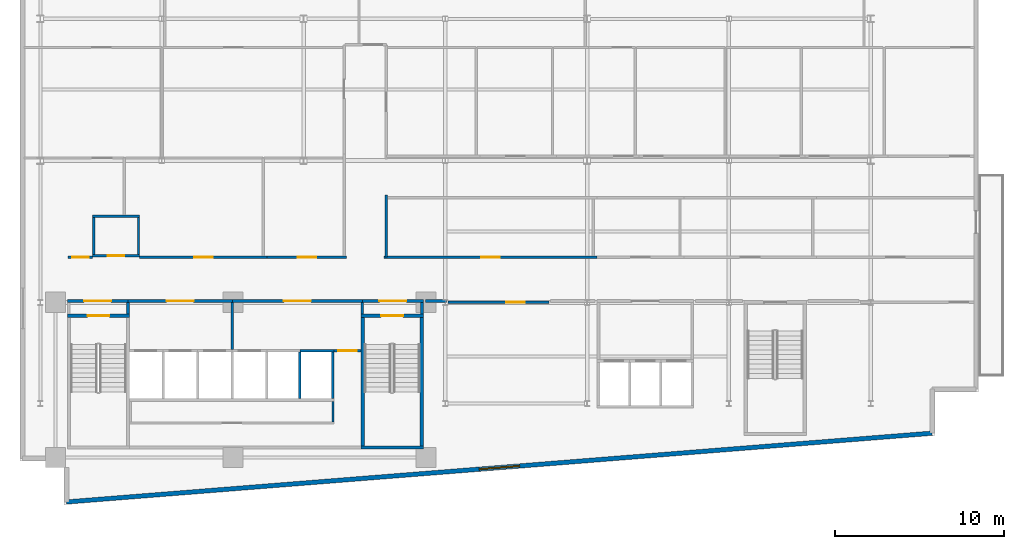
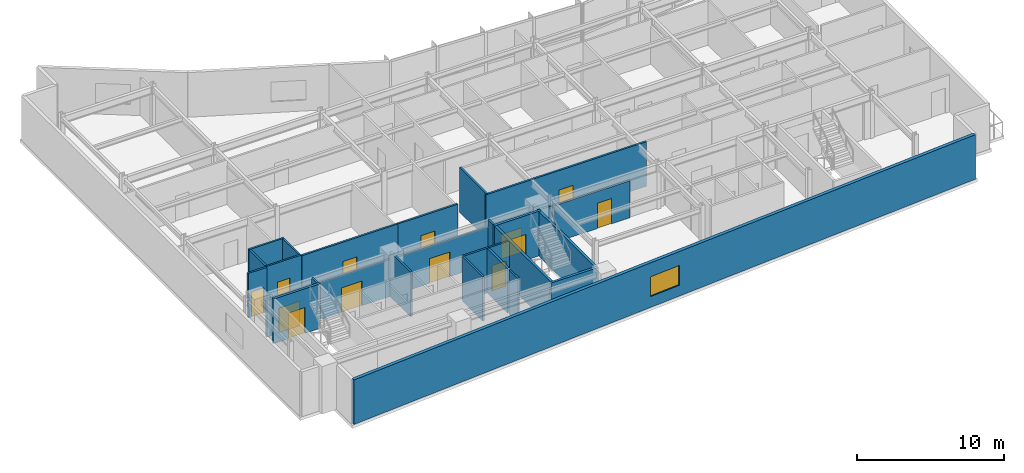
# One storey, part 9 of 17: 30 walls, 13 doors, 1 window, 14 openings.
"""IFC4 building model written with IfcOpenShell, lengths in metres."""

from ifc_helpers import new_model, si_unit, direction, frame, frame_2d, origin, place, context, subcontext, project, spatial, rectangle, extrude, material, layer, layer_set, type_object, element, fill, save


model = new_model("IFC4")

# Units and contexts
model_context = context("Model", 3, precision=1e-05, world=origin(), true_north=direction((0.0, 1.0)))
body_context = subcontext(model_context, "Body", "Model", "MODEL_VIEW")
ifc_project = project(units=[si_unit("LENGTHUNIT", "METRE"), si_unit("AREAUNIT", "SQUARE_METRE"), si_unit("VOLUMEUNIT", "CUBIC_METRE"), si_unit("PLANEANGLEUNIT", "RADIAN"), si_unit("MASSUNIT", "GRAM", prefix="KILO")], contexts=[model_context])

# Site, building, storey
site_placement = place(None, origin())
site = spatial("IfcSite", under=ifc_project, at=site_placement, CompositionType="ELEMENT")
building_placement = place(site_placement, origin())
building = spatial("IfcBuilding", under=site, at=building_placement, Name="Varnakote Quay Hospital", CompositionType="ELEMENT")
storey_placement = place(building_placement, frame((0.0, 0.0, 131.0)))
storey = spatial("IfcBuildingStorey", under=building, at=storey_placement, Name="L32", CompositionType="ELEMENT", Elevation=131.0)

# Wall, opening, door
ifc_material_1 = material(Name="Fire-rated acoustic gypsum stud wall", Category="gypsum")
ifc_layer_1 = layer(ifc_material_1, 0.159912109375)
ifc_layer_set_1 = layer_set([ifc_layer_1], Name="Fire-rated acoustic gypsum stud wall")
wall_type_1 = type_object("IfcWallType", Name="WL-COMP-160", PredefinedType="PARTITIONING", material=ifc_layer_set_1)
wall_1_placement = place(storey_placement, frame((2.800048828125, 12.080078125, 0.0), z_axis=(0.0, 0.0, 1.0), x_axis=(1.0, 0.0, 0.0)))
wall_1 = element("IfcWall", 1, at=wall_1_placement, inside=storey, type_object=wall_type_1, Name="L32 West Stair Vestibule Smoke Wall", PredefinedType="PARTITIONING", context=body_context, shape_type="SweptSolid", body=[
    extrude(rectangle(XDim=3.599853515625, YDim=0.159912109375, at=frame_2d((1.7998046875, 0.0))), origin(), (0.0, 0.0, 1.0), 3.0830078125),
])
opening_1_placement = place(wall_1_placement, frame((1.0, 0.0, 0.0)))
opening_1 = element("IfcOpeningElement", 2, at=opening_1_placement, cuts=wall_1, Name="Opening D-ST1L-L32", PredefinedType="OPENING", context=body_context, shape_type="SweptSolid", body=[
    extrude(rectangle(XDim=1.60009765625, YDim=2.050048828125, at=frame_2d((0.800048828125, 1.02490234375))), frame((0.0, 0.08984375, 0.0), z_axis=(0.0, -1.0, 0.0), x_axis=(1.0, 0.0, 0.0)), (0.0, 0.0, 1.0), 0.179931640625),
])
ifc_material_2 = material(Name="Fire-rated double smoke lobby door")
door_type_1 = type_object("IfcDoorType", Name="DR-LOBBY-FD60S-1600x2150", OperationType="NOTDEFINED", PredefinedType="DOOR", material=ifc_material_2)
door_1_placement = place(opening_1_placement, origin())
door_1 = element("IfcDoor", 3, at=door_1_placement, inside=storey, type_object=door_type_1, Name="L32 West Stair Vestibule Smoke Door", OperationType="DOUBLE_DOOR_SINGLE_SWING", OverallHeight=2.050048828125, OverallWidth=1.60009765625, PredefinedType="DOOR", context=body_context, shape_type="SweptSolid", body=[
    extrude(rectangle(XDim=1.60009765625, YDim=2.050048828125, at=frame_2d((0.800048828125, 1.02490234375))), frame((0.0, 0.02490234375, 0.0), z_axis=(0.0, -1.0, 0.0), x_axis=(1.0, 0.0, 0.0)), (0.0, 0.0, 1.0), 0.050048828125),
])
fill(opening_1, door_1)

# Wall
wall_2_placement = place(storey_placement, frame((6.39990234375, 11.300048828125, 0.0), z_axis=(0.0, 0.0, 1.0), x_axis=(0.0, 1.0, 0.0)))
element("IfcWall", 4, at=wall_2_placement, inside=storey, type_object=wall_type_1, Name="L32 Firefighting Lobby West Wall", PredefinedType="PARTITIONING", context=body_context, shape_type="SweptSolid", body=[
    extrude(rectangle(XDim=0.699951171875, YDim=0.159912109375, at=frame_2d((0.35009765625, 0.0))), origin(), (0.0, 0.0, 1.0), 3.7099609375),
])

# Wall, opening, door
wall_3_placement = place(storey_placement, frame((6.39990234375, 12.080078125, 0.0), z_axis=(0.0, 0.0, 1.0), x_axis=(1.0, 0.0, 0.0)))
wall_3 = element("IfcWall", 5, at=wall_3_placement, inside=storey, type_object=wall_type_1, Name="L32 Firefighting Lift Lobby Compartment Wall", PredefinedType="PARTITIONING", context=body_context, shape_type="SweptSolid", body=[
    extrude(rectangle(XDim=6.18017578125, YDim=0.159912109375, at=frame_2d((3.090087890625, 0.0))), origin(), (0.0, 0.0, 1.0), 3.0830078125),
])
opening_2_placement = place(wall_3_placement, frame((2.2900390625, 0.0, 0.0)))
opening_2 = element("IfcOpeningElement", 6, at=opening_2_placement, cuts=wall_3, Name="Opening D-FFL-L32", PredefinedType="OPENING", context=body_context, shape_type="SweptSolid", body=[
    extrude(rectangle(XDim=1.60009765625, YDim=2.050048828125, at=frame_2d((0.800048828125, 1.02490234375))), frame((0.0, 0.08984375, 0.0), z_axis=(0.0, -1.0, 0.0), x_axis=(1.0, 0.0, 0.0)), (0.0, 0.0, 1.0), 0.179931640625),
])
door_2_placement = place(opening_2_placement, origin())
door_2 = element("IfcDoor", 7, at=door_2_placement, inside=storey, type_object=door_type_1, Name="L32 Firefighting Smoke Vestibule Door", OperationType="DOUBLE_DOOR_SINGLE_SWING", OverallHeight=2.050048828125, OverallWidth=1.60009765625, PredefinedType="DOOR", context=body_context, shape_type="SweptSolid", body=[
    extrude(rectangle(XDim=1.60009765625, YDim=2.050048828125, at=frame_2d((0.800048828125, 1.02490234375))), frame((0.0, 0.02490234375, 0.0), z_axis=(0.0, -1.0, 0.0), x_axis=(1.0, 0.0, 0.0)), (0.0, 0.0, 1.0), 0.050048828125),
])
fill(opening_2, door_2)

# Wall
wall_4_placement = place(storey_placement, frame((12.580078125, 9.2099609375, 0.0), z_axis=(0.0, 0.0, 1.0), x_axis=(0.0, 1.0, 0.0)))
element("IfcWall", 8, at=wall_4_placement, inside=storey, type_object=wall_type_1, Name="L32 Firefighting to Service Lobby Wall", PredefinedType="PARTITIONING", context=body_context, shape_type="SweptSolid", body=[
    extrude(rectangle(XDim=2.7900390625, YDim=0.159912109375, at=frame_2d((1.39501953125, 0.0))), origin(), (0.0, 0.0, 1.0), 3.7099609375),
])

# Wall, opening, door
wall_5_placement = place(storey_placement, frame((12.580078125, 12.080078125, 0.0), z_axis=(0.0, 0.0, 1.0), x_axis=(1.0, 0.0, 0.0)))
wall_5 = element("IfcWall", 9, at=wall_5_placement, inside=storey, type_object=wall_type_1, Name="L32 Clinical Bed Lift Lobby Wall", PredefinedType="PARTITIONING", context=body_context, shape_type="SweptSolid", body=[
    extrude(rectangle(XDim=7.699951171875, YDim=0.159912109375, at=frame_2d((3.85009765625, 0.0))), origin(), (0.0, 0.0, 1.0), 3.0830078125),
])
opening_3_placement = place(wall_5_placement, frame((3.050048828125, 0.0, 0.0)))
opening_3 = element("IfcOpeningElement", 10, at=opening_3_placement, cuts=wall_5, Name="Opening D-SVL-L32", PredefinedType="OPENING", context=body_context, shape_type="SweptSolid", body=[
    extrude(rectangle(XDim=1.60009765625, YDim=2.050048828125, at=frame_2d((0.800048828125, 1.02490234375))), frame((0.0, 0.08984375, 0.0), z_axis=(0.0, -1.0, 0.0), x_axis=(1.0, 0.0, 0.0)), (0.0, 0.0, 1.0), 0.179931640625),
])
door_3_placement = place(opening_3_placement, origin())
door_3 = element("IfcDoor", 11, at=door_3_placement, inside=storey, type_object=door_type_1, Name="L32 Clinical Core Smoke Vestibule Door", OperationType="DOUBLE_DOOR_SINGLE_SWING", OverallHeight=2.050048828125, OverallWidth=1.60009765625, PredefinedType="DOOR", context=body_context, shape_type="SweptSolid", body=[
    extrude(rectangle(XDim=1.60009765625, YDim=2.050048828125, at=frame_2d((0.800048828125, 1.02490234375))), frame((0.0, 0.02490234375, 0.0), z_axis=(0.0, -1.0, 0.0), x_axis=(1.0, 0.0, 0.0)), (0.0, 0.0, 1.0), 0.050048828125),
])
fill(opening_3, door_3)

# Wall
wall_6_placement = place(storey_placement, frame((20.280029296875, 11.300048828125, 0.0), z_axis=(0.0, 0.0, 1.0), x_axis=(0.0, 1.0, 0.0)))
element("IfcWall", 12, at=wall_6_placement, inside=storey, type_object=wall_type_1, Name="L32 East Stair Vestibule Divider Wall", PredefinedType="PARTITIONING", context=body_context, shape_type="SweptSolid", body=[
    extrude(rectangle(XDim=0.699951171875, YDim=0.159912109375, at=frame_2d((0.35009765625, 0.0))), origin(), (0.0, 0.0, 1.0), 3.7099609375),
])

# Wall, opening, door
wall_7_placement = place(storey_placement, frame((20.280029296875, 12.080078125, 0.0), z_axis=(0.0, 0.0, 1.0), x_axis=(1.0, 0.0, 0.0)))
wall_7 = element("IfcWall", 13, at=wall_7_placement, inside=storey, type_object=wall_type_1, Name="L32 East Stair Vestibule Smoke Wall", PredefinedType="PARTITIONING", context=body_context, shape_type="SweptSolid", body=[
    extrude(rectangle(XDim=3.619873046875, YDim=0.159912109375, at=frame_2d((1.81005859375, 0.0))), origin(), (0.0, 0.0, 1.0), 3.0830078125),
])
opening_4_placement = place(wall_7_placement, frame((1.010009765625, 0.0, 0.0)))
opening_4 = element("IfcOpeningElement", 14, at=opening_4_placement, cuts=wall_7, Name="Opening D-ST2L-L32", PredefinedType="OPENING", context=body_context, shape_type="SweptSolid", body=[
    extrude(rectangle(XDim=1.60009765625, YDim=2.050048828125, at=frame_2d((0.800048828125, 1.02490234375))), frame((0.0, 0.08984375, 0.0), z_axis=(0.0, -1.0, 0.0), x_axis=(1.0, 0.0, 0.0)), (0.0, 0.0, 1.0), 0.179931640625),
])
door_4_placement = place(opening_4_placement, origin())
door_4 = element("IfcDoor", 15, at=door_4_placement, inside=storey, type_object=door_type_1, Name="L32 East Stair Vestibule Smoke Door", OperationType="DOUBLE_DOOR_SINGLE_SWING", OverallHeight=2.050048828125, OverallWidth=1.60009765625, PredefinedType="DOOR", context=body_context, shape_type="SweptSolid", body=[
    extrude(rectangle(XDim=1.60009765625, YDim=2.050048828125, at=frame_2d((0.800048828125, 1.02490234375))), frame((0.0, 0.02490234375, 0.0), z_axis=(0.0, -1.0, 0.0), x_axis=(1.0, 0.0, 0.0)), (0.0, 0.0, 1.0), 0.050048828125),
])
fill(opening_4, door_4)

# Walls
wall_8_placement = place(storey_placement, frame((23.820068359375, 11.300048828125, 0.0), z_axis=(0.0, 0.0, 1.0), x_axis=(0.0, 1.0, 0.0)))
element("IfcWall", 16, at=wall_8_placement, inside=storey, type_object=wall_type_1, Name="L32 East Stair Vestibule East Wall", PredefinedType="PARTITIONING", context=body_context, shape_type="SweptSolid", body=[
    extrude(rectangle(XDim=0.699951171875, YDim=0.159912109375, at=frame_2d((0.35009765625, 0.0))), origin(), (0.0, 0.0, 1.0), 3.7099609375),
])
wall_9_placement = place(storey_placement, frame((24.02001953125, 12.080078125, 0.0), z_axis=(0.0, 0.0, 1.0), x_axis=(1.0, 0.0, 0.0)))
element("IfcWall", 17, at=wall_9_placement, inside=storey, type_object=wall_type_1, Name="L32 Corridor South Gap Wall", PredefinedType="PARTITIONING", context=body_context, shape_type="SweptSolid", body=[
    extrude(rectangle(XDim=1.2451171875, YDim=0.159912109375, at=frame_2d((0.62255859375, 0.0))), origin(), (0.0, 0.0, 1.0), 3.0830078125),
])

# Wall, opening, window
ifc_material_3 = material(Name="Precast concrete N50 (f'c 50 MPa)", Category="concrete")
ifc_layer_2 = layer(ifc_material_3, 0.260009765625)
ifc_layer_set_2 = layer_set([ifc_layer_2], Name="Precast concrete N50 (f'c 50 MPa)")
wall_type_2 = type_object("IfcWallType", Name="WL-EXT-BRICK-260", PredefinedType="STANDARD", material=ifc_layer_set_2)
wall_10_placement = place(storey_placement, frame((2.760009765625, 0.173095703125, 0.0), z_axis=(0.0, 0.0, 1.0), x_axis=(0.996857931723, 0.079210251617, 0.0)))
wall_10 = element("IfcWall", 18, at=wall_10_placement, inside=storey, type_object=wall_type_2, Name="L32 Brick-Faced Precast Exterior Wall", PredefinedType="STANDARD", context=body_context, shape_type="SweptSolid", body=[
    extrude(rectangle(XDim=51.441650390625, YDim=0.260009765625, at=frame_2d((25.720703125, 0.0))), origin(), (0.0, 0.0, 1.0), 3.7099609375),
])
opening_5_placement = place(wall_10_placement, frame((24.520751953125, 0.0, 0.89990234375)))
opening_5 = element("IfcOpeningElement", 19, at=opening_5_placement, cuts=wall_10, Name="Opening WN-0138", PredefinedType="OPENING", context=body_context, shape_type="SweptSolid", body=[
    extrude(rectangle(XDim=2.39990234375, YDim=1.64990234375, at=frame_2d((1.199951171875, 0.824951171875))), frame((0.0, 0.139892578125, 0.0), z_axis=(0.0, -1.0, 0.0), x_axis=(1.0, 0.0, 0.0)), (0.0, 0.0, 1.0), 0.280029296875),
])
ifc_material_4 = material(Name="Double-glazed low-E solar glass", Category="glass")
window_type = type_object("IfcWindowType", Name="WIN-CLIN-2400x1650", PartitioningType="SINGLE_PANEL", PredefinedType="WINDOW", material=ifc_material_4)
window_placement = place(opening_5_placement, origin())
window = element("IfcWindow", 20, at=window_placement, inside=storey, type_object=window_type, Name="L32 Solar-Control Clinical Window", OverallHeight=1.64990234375, OverallWidth=2.39990234375, PartitioningType="SINGLE_PANEL", PredefinedType="WINDOW", context=body_context, shape_type="SweptSolid", body=[
    extrude(rectangle(XDim=2.39990234375, YDim=1.64990234375, at=frame_2d((1.199951171875, 0.824951171875))), frame((0.0, 0.030029296875, 0.0), z_axis=(0.0, -1.0, 0.0), x_axis=(1.0, 0.0, 0.0)), (0.0, 0.0, 1.0), 0.06005859375),
])
fill(opening_5, window)

# Walls
ifc_material_5 = material(Name="Concrete N50 (f'c 50 MPa)", Category="concrete")
ifc_layer_3 = layer(ifc_material_5, 0.14990234375)
ifc_layer_set_3 = layer_set([ifc_layer_3], Name="Concrete N50 (f'c 50 MPa)")
wall_type_3 = type_object("IfcWallType", Name="WL-SHAFT-N50-150", PredefinedType="SHEAR", material=ifc_layer_set_3)
wall_11_placement = place(storey_placement, frame((16.574951171875, 6.300048828125, 0.0), z_axis=(0.0, 0.0, 1.0), x_axis=(0.0, 1.0, 0.0)))
element("IfcWall", 21, at=wall_11_placement, inside=storey, type_object=wall_type_3, Name="L32 LF-PH1 Hoistway Divider Wall", PredefinedType="SHEAR", context=body_context, shape_type="SweptSolid", body=[
    extrude(rectangle(XDim=2.75, YDim=0.14990234375, at=frame_2d((1.375, 0.0))), origin(), (0.0, 0.0, 1.0), 3.7099609375),
])
ifc_material_6 = material(Name="Concrete N50 (f'c 50 MPa)", Category="concrete")
ifc_layer_4 = layer(ifc_material_6, 0.159912109375)
ifc_layer_set_4 = layer_set([ifc_layer_4], Name="Concrete N50 (f'c 50 MPa)")
wall_type_4 = type_object("IfcWallType", Name="WL-SHAFT-N50-160", PredefinedType="SHEAR", material=ifc_layer_set_4)
wall_12_placement = place(storey_placement, frame((18.530029296875, 6.300048828125, 0.0), z_axis=(0.0, 0.0, 1.0), x_axis=(0.0, 1.0, 0.0)))
element("IfcWall", 22, at=wall_12_placement, inside=storey, type_object=wall_type_4, Name="L32 REAR Lift Bank East Shear Wall", PredefinedType="SHEAR", context=body_context, shape_type="SweptSolid", body=[
    extrude(rectangle(XDim=2.75, YDim=0.159912109375, at=frame_2d((1.375, 0.0))), origin(), (0.0, 0.0, 1.0), 3.7099609375),
])
wall_13_placement = place(storey_placement, frame((16.574951171875, 9.1298828125, 0.0), z_axis=(0.0, 0.0, 1.0), x_axis=(1.0, 0.0, 0.0)))
element("IfcWall", 23, at=wall_13_placement, inside=storey, type_object=wall_type_4, Name="L32 LF-PH2 Hoistway Front Wall", PredefinedType="SHEAR", context=body_context, shape_type="SweptSolid", body=[
    extrude(rectangle(XDim=2.03515625, YDim=0.159912109375, at=frame_2d((1.017578125, 0.0))), origin(), (0.0, 0.0, 1.0), 3.7099609375),
])

# Wall, opening, door
ifc_material_7 = material(Name="Concrete N50 (f'c 50 MPa)", Category="concrete")
ifc_layer_5 = layer(ifc_material_7, 0.199951171875)
ifc_layer_set_5 = layer_set([ifc_layer_5], Name="Concrete N50 (f'c 50 MPa)")
wall_type_5 = type_object("IfcWallType", Name="WL-SHAFT-N50-200", PredefinedType="SHEAR", material=ifc_layer_set_5)
wall_14_placement = place(storey_placement, frame((2.800048828125, 11.199951171875, 0.0), z_axis=(0.0, 0.0, 1.0), x_axis=(1.0, 0.0, 0.0)))
wall_14 = element("IfcWall", 24, at=wall_14_placement, inside=storey, type_object=wall_type_5, Name="L32 Stair ST1 Exit Wall", PredefinedType="SHEAR", context=body_context, shape_type="SweptSolid", body=[
    extrude(rectangle(XDim=3.699951171875, YDim=0.199951171875, at=frame_2d((1.85009765625, 0.0))), origin(), (0.0, 0.0, 1.0), 3.7099609375),
])
opening_6_placement = place(wall_14_placement, frame((1.199951171875, 0.0, 0.0)))
opening_6 = element("IfcOpeningElement", 25, at=opening_6_placement, cuts=wall_14, Name="Opening D-ST1-L32", PredefinedType="OPENING", context=body_context, shape_type="SweptSolid", body=[
    extrude(rectangle(XDim=1.300048828125, YDim=2.14990234375, at=frame_2d((0.64990234375, 1.074951171875))), frame((0.0, 0.10986328125, 0.0), z_axis=(0.0, -1.0, 0.0), x_axis=(1.0, 0.0, 0.0)), (0.0, 0.0, 1.0), 0.219970703125),
])
ifc_material_8 = material(Name="Fire-rated ceramic-glazed timber exit door", Category="wood")
door_type_2 = type_object("IfcDoorType", Name="DR-STAIR-FD60S-1300x2150", OperationType="NOTDEFINED", PredefinedType="DOOR", material=ifc_material_8)
door_5_placement = place(opening_6_placement, origin())
door_5 = element("IfcDoor", 26, at=door_5_placement, inside=storey, type_object=door_type_2, Name="L32 Stair ST1 Fire Exit Door", OperationType="SINGLE_SWING_LEFT", OverallHeight=2.14990234375, OverallWidth=1.300048828125, PredefinedType="DOOR", context=body_context, shape_type="SweptSolid", body=[
    extrude(rectangle(XDim=1.300048828125, YDim=2.14990234375, at=frame_2d((0.64990234375, 1.074951171875))), frame((0.0, 0.02490234375, 0.0), z_axis=(0.0, -1.0, 0.0), x_axis=(1.0, 0.0, 0.0)), (0.0, 0.0, 1.0), 0.050048828125),
])
fill(opening_6, door_5)

# Walls
wall_15_placement = place(storey_placement, frame((20.199951171875, 3.39990234375, 0.0), z_axis=(0.0, 0.0, 1.0), x_axis=(1.0, 0.0, 0.0)))
element("IfcWall", 27, at=wall_15_placement, inside=storey, type_object=wall_type_5, Name="L32 Stair ST2 South Shaft Wall", PredefinedType="SHEAR", context=body_context, shape_type="SweptSolid", body=[
    extrude(rectangle(XDim=3.699951171875, YDim=0.199951171875, at=frame_2d((1.85009765625, 0.0))), origin(), (0.0, 0.0, 1.0), 3.7099609375),
])
for number, where, z_axis, x_axis, name in (
    (28, (20.300048828125, 3.5, 0.0), (0.0, 0.0, 1.0), (0.0, 1.0, 0.0), "L32 Stair ST2 West Shaft Wall"),
    (29, (23.800048828125, 3.5, 0.0), (0.0, 0.0, 1.0), (0.0, 1.0, 0.0), "L32 Stair ST2 East Shaft Wall"),
):
    element("IfcWall", number, at=place(storey_placement, frame(where, z_axis=z_axis, x_axis=x_axis)), inside=storey, type_object=wall_type_5, Name=name, PredefinedType="SHEAR", context=body_context, shape_type="SweptSolid", body=[
        extrude(rectangle(XDim=7.60009765625, YDim=0.199951171875, at=frame_2d((3.800048828125, 0.0))), origin(), (0.0, 0.0, 1.0), 3.7099609375),
    ])

# Wall, opening, door
wall_16_placement = place(storey_placement, frame((20.199951171875, 11.199951171875, 0.0), z_axis=(0.0, 0.0, 1.0), x_axis=(1.0, 0.0, 0.0)))
wall_16 = element("IfcWall", 30, at=wall_16_placement, inside=storey, type_object=wall_type_5, Name="L32 Stair ST2 Exit Wall", PredefinedType="SHEAR", context=body_context, shape_type="SweptSolid", body=[
    extrude(rectangle(XDim=3.699951171875, YDim=0.199951171875, at=frame_2d((1.85009765625, 0.0))), origin(), (0.0, 0.0, 1.0), 3.7099609375),
])
opening_7_placement = place(wall_16_placement, frame((1.199951171875, 0.0, 0.0)))
opening_7 = element("IfcOpeningElement", 31, at=opening_7_placement, cuts=wall_16, Name="Opening D-ST2-L32", PredefinedType="OPENING", context=body_context, shape_type="SweptSolid", body=[
    extrude(rectangle(XDim=1.300048828125, YDim=2.14990234375, at=frame_2d((0.64990234375, 1.074951171875))), frame((0.0, 0.10986328125, 0.0), z_axis=(0.0, -1.0, 0.0), x_axis=(1.0, 0.0, 0.0)), (0.0, 0.0, 1.0), 0.219970703125),
])
door_6_placement = place(opening_7_placement, origin())
door_6 = element("IfcDoor", 32, at=door_6_placement, inside=storey, type_object=door_type_2, Name="L32 Stair ST2 Fire Exit Door", OperationType="SINGLE_SWING_RIGHT", OverallHeight=2.14990234375, OverallWidth=1.300048828125, PredefinedType="DOOR", context=body_context, shape_type="SweptSolid", body=[
    extrude(rectangle(XDim=1.300048828125, YDim=2.14990234375, at=frame_2d((0.64990234375, 1.074951171875))), frame((0.0, 0.02490234375, 0.0), z_axis=(0.0, -1.0, 0.0), x_axis=(1.0, 0.0, 0.0)), (0.0, 0.0, 1.0), 0.050048828125),
])
fill(opening_7, door_6)

# Wall
ifc_material_9 = material(Name="Smoke-proof clinical partition", Category="gypsum")
ifc_layer_6 = layer(ifc_material_9, 0.1201171875)
ifc_layer_set_6 = layer_set([ifc_layer_6], Name="Smoke-proof clinical partition")
wall_type_6 = type_object("IfcWallType", Name="WL-SMOKE-120", PredefinedType="PARTITIONING", material=ifc_layer_set_6)
wall_17_placement = place(storey_placement, frame((18.5400390625, 4.919921875, 0.0), z_axis=(0.0, 0.0, 1.0), x_axis=(0.0, 1.0, 0.0)))
element("IfcWall", 33, at=wall_17_placement, inside=storey, type_object=wall_type_6, Name="L32 Core Service Strip East Wall", PredefinedType="PARTITIONING", context=body_context, shape_type="SweptSolid", body=[
    extrude(rectangle(XDim=1.219970703125, YDim=0.1201171875, at=frame_2d((0.60986328125, 0.0))), origin(), (0.0, 0.0, 1.0), 3.7099609375),
])

# Wall, opening, door
ifc_material_10 = material(Name="Fire-rated clinical gypsum partition", Category="gypsum")
ifc_layer_7 = layer(ifc_material_10, 0.139892578125)
ifc_layer_set_7 = layer_set([ifc_layer_7], Name="Fire-rated clinical gypsum partition")
wall_type_7 = type_object("IfcWallType", Name="WL-WARD-140", PredefinedType="PARTITIONING", material=ifc_layer_set_7)
wall_18_placement = place(storey_placement, frame((18.610107421875, 9.1298828125, 0.0), z_axis=(0.0, 0.0, 1.0), x_axis=(1.0, 0.0, 0.0)))
wall_18 = element("IfcWall", 34, at=wall_18_placement, inside=storey, type_object=wall_type_7, Name="L32 Core Service Corridor North Door Wall", PredefinedType="PARTITIONING", context=body_context, shape_type="SweptSolid", body=[
    extrude(rectangle(XDim=1.58984375, YDim=0.139892578125, at=frame_2d((0.794921875, 0.0))), origin(), (0.0, 0.0, 1.0), 3.7099609375),
])
opening_8_placement = place(wall_18_placement, frame((0.239990234375, 0.0, 0.0)))
opening_8 = element("IfcOpeningElement", 35, at=opening_8_placement, cuts=wall_18, Name="Opening D-CSRV-L32", PredefinedType="OPENING", context=body_context, shape_type="SweptSolid", body=[
    extrude(rectangle(XDim=1.10009765625, YDim=2.10009765625, at=frame_2d((0.550048828125, 1.050048828125))), frame((0.0, 0.079833984375, 0.0), z_axis=(0.0, -1.0, 0.0), x_axis=(1.0, 0.0, 0.0)), (0.0, 0.0, 1.0), 0.159912109375),
])
ifc_material_11 = material(Name="Acoustic timber clinical consult door", Category="wood")
door_type_3 = type_object("IfcDoorType", Name="DR-CLIN-FD30S-1100x2100", OperationType="NOTDEFINED", PredefinedType="DOOR", material=ifc_material_11)
door_7_placement = place(opening_8_placement, origin())
door_7 = element("IfcDoor", 36, at=door_7_placement, inside=storey, type_object=door_type_3, Name="L32 Core Service Corridor Door", OperationType="SINGLE_SWING_LEFT", OverallHeight=2.10009765625, OverallWidth=1.10009765625, PredefinedType="DOOR", context=body_context, shape_type="SweptSolid", body=[
    extrude(rectangle(XDim=1.10009765625, YDim=2.10009765625, at=frame_2d((0.550048828125, 1.050048828125))), frame((0.0, 0.02490234375, 0.0), z_axis=(0.0, -1.0, 0.0), x_axis=(1.0, 0.0, 0.0)), (0.0, 0.0, 1.0), 0.050048828125),
])
fill(opening_8, door_7)

wall_19_placement = place(storey_placement, frame((4.31005859375, 14.77001953125, 0.0), z_axis=(0.0, 0.0, 1.0), x_axis=(1.0, 0.0, 0.0)))
wall_19 = element("IfcWall", 37, at=wall_19_placement, inside=storey, type_object=wall_type_7, Name="L32 Floor Unisex Accessible WC S Wall", PredefinedType="PARTITIONING", context=body_context, shape_type="SweptSolid", body=[
    extrude(rectangle(XDim=2.780029296875, YDim=0.139892578125, at=frame_2d((1.39013671875, 0.0))), origin(), (0.0, 0.0, 1.0), 3.7099609375),
])
opening_9_placement = place(wall_19_placement, frame((0.89990234375, 0.0, 0.0)))
opening_9 = element("IfcOpeningElement", 38, at=opening_9_placement, cuts=wall_19, Name="Opening D-L32-EW01", PredefinedType="OPENING", context=body_context, shape_type="SweptSolid", body=[
    extrude(rectangle(XDim=0.97998046875, YDim=2.10009765625, at=frame_2d((0.489990234375, 1.050048828125))), frame((0.0, 0.079833984375, 0.0), z_axis=(0.0, -1.0, 0.0), x_axis=(1.0, 0.0, 0.0)), (0.0, 0.0, 1.0), 0.159912109375),
])
ifc_material_12 = material(Name="Accessible sanitary compartment door")
door_type_4 = type_object("IfcDoorType", Name="DR-WC-980x2100", OperationType="NOTDEFINED", PredefinedType="DOOR", material=ifc_material_12)
door_8_placement = place(opening_9_placement, origin())
door_8 = element("IfcDoor", 39, at=door_8_placement, inside=storey, type_object=door_type_4, Name="L32 Floor Unisex Accessible WC Door", OperationType="SINGLE_SWING_RIGHT", OverallHeight=2.10009765625, OverallWidth=0.97998046875, PredefinedType="DOOR", context=body_context, shape_type="SweptSolid", body=[
    extrude(rectangle(XDim=0.97998046875, YDim=2.10009765625, at=frame_2d((0.489990234375, 1.050048828125))), frame((0.0, 0.02490234375, 0.0), z_axis=(0.0, -1.0, 0.0), x_axis=(1.0, 0.0, 0.0)), (0.0, 0.0, 1.0), 0.050048828125),
])
fill(opening_9, door_8)

# Walls
wall_20_placement = place(storey_placement, frame((4.31005859375, 17.110107421875, 0.0), z_axis=(0.0, 0.0, 1.0), x_axis=(1.0, 0.0, 0.0)))
element("IfcWall", 40, at=wall_20_placement, inside=storey, type_object=wall_type_7, Name="L32 Floor Unisex Accessible WC N Wall", PredefinedType="PARTITIONING", context=body_context, shape_type="SweptSolid", body=[
    extrude(rectangle(XDim=2.780029296875, YDim=0.139892578125, at=frame_2d((1.39013671875, 0.0))), origin(), (0.0, 0.0, 1.0), 3.7099609375),
])
for number, where, z_axis, x_axis, name in (
    (41, (4.3798828125, 14.840087890625, 0.0), (0.0, 0.0, 1.0), (0.0, 1.0, 0.0), "L32 Floor Unisex Accessible WC W Wall"),
    (42, (7.02001953125, 14.840087890625, 0.0), (0.0, 0.0, 1.0), (0.0, 1.0, 0.0), "L32 Floor Unisex Accessible WC E Wall"),
):
    element("IfcWall", number, at=place(storey_placement, frame(where, z_axis=z_axis, x_axis=x_axis)), inside=storey, type_object=wall_type_7, Name=name, PredefinedType="PARTITIONING", context=body_context, shape_type="SweptSolid", body=[
        extrude(rectangle(XDim=2.199951171875, YDim=0.139892578125, at=frame_2d((1.10009765625, 0.0))), origin(), (0.0, 0.0, 1.0), 3.7099609375),
    ])

# Wall, opening, door
ifc_material_13 = material(Name="Fire-rated clinical gypsum partition", Category="gypsum")
ifc_layer_8 = layer(ifc_material_13, 0.14990234375)
ifc_layer_set_8 = layer_set([ifc_layer_8], Name="Fire-rated clinical gypsum partition")
wall_type_8 = type_object("IfcWallType", Name="WL-WARD-150", PredefinedType="PARTITIONING", material=ifc_layer_set_8)
wall_21_placement = place(storey_placement, frame((31.35009765625, 12.0, 0.0), z_axis=(0.0, 0.0, 1.0), x_axis=(-1.0, 0.0, 0.0)))
wall_21 = element("IfcWall", 43, at=wall_21_placement, inside=storey, type_object=wall_type_8, Name="L32 Clinical Interior Partition", PredefinedType="PARTITIONING", context=body_context, shape_type="SweptSolid", body=[
    extrude(rectangle(XDim=5.99560546875, YDim=0.14990234375, at=frame_2d((2.997802734375, 0.0))), origin(), (0.0, 0.0, 1.0), 3.0830078125),
])
opening_10_placement = place(wall_21_placement, frame((1.436279296875, 0.0, 0.0)))
opening_10 = element("IfcOpeningElement", 44, at=opening_10_placement, cuts=wall_21, Name="Opening D-L32-RL1", PredefinedType="OPENING", context=body_context, shape_type="SweptSolid", body=[
    extrude(rectangle(XDim=1.10009765625, YDim=2.10009765625, at=frame_2d((0.550048828125, 1.050048828125))), frame((0.0, 0.0849609375, 0.0), z_axis=(0.0, -1.0, 0.0), x_axis=(1.0, 0.0, 0.0)), (0.0, 0.0, 1.0), 0.169921875),
])
door_9_placement = place(opening_10_placement, origin())
door_9 = element("IfcDoor", 45, at=door_9_placement, inside=storey, type_object=door_type_3, Name="L32 Day Infusion Treatment Suite Door", OperationType="SINGLE_SWING_LEFT", OverallHeight=2.10009765625, OverallWidth=1.10009765625, PredefinedType="DOOR", context=body_context, shape_type="SweptSolid", body=[
    extrude(rectangle(XDim=1.10009765625, YDim=2.10009765625, at=frame_2d((0.550048828125, 1.050048828125))), frame((0.0, 0.02490234375, 0.0), z_axis=(0.0, -1.0, 0.0), x_axis=(1.0, 0.0, 0.0)), (0.0, 0.0, 1.0), 0.050048828125),
])
fill(opening_10, door_9)

wall_22_placement = place(storey_placement, frame((4.30810546875, 14.679931640625, 0.0), z_axis=(0.0, 0.0, 1.0), x_axis=(-1.0, 0.0, 0.0)))
wall_22 = element("IfcWall", 46, at=wall_22_placement, inside=storey, type_object=wall_type_8, Name="L32 Clinical Interior Partition", PredefinedType="PARTITIONING", context=body_context, shape_type="SweptSolid", body=[
    extrude(rectangle(XDim=1.4580078125, YDim=0.14990234375, at=frame_2d((0.72900390625, 0.0))), origin(), (0.0, 0.0, 1.0), 3.7099609375),
])
opening_11_placement = place(wall_22_placement, frame((0.239013671875, 0.0, 0.0)))
opening_11 = element("IfcOpeningElement", 47, at=opening_11_placement, cuts=wall_22, Name="Opening D-L32-MD01", PredefinedType="OPENING", context=body_context, shape_type="SweptSolid", body=[
    extrude(rectangle(XDim=0.97998046875, YDim=2.10009765625, at=frame_2d((0.489990234375, 1.050048828125))), frame((0.0, 0.0849609375, 0.0), z_axis=(0.0, -1.0, 0.0), x_axis=(1.0, 0.0, 0.0)), (0.0, 0.0, 1.0), 0.169921875),
])
door_10_placement = place(opening_11_placement, origin())
door_10 = element("IfcDoor", 48, at=door_10_placement, inside=storey, type_object=door_type_4, Name="L32 Day Procedure Treatment Suite Door", OperationType="SINGLE_SWING_LEFT", OverallHeight=2.10009765625, OverallWidth=0.97998046875, PredefinedType="DOOR", context=body_context, shape_type="SweptSolid", body=[
    extrude(rectangle(XDim=0.97998046875, YDim=2.10009765625, at=frame_2d((0.489990234375, 1.050048828125))), frame((0.0, 0.02490234375, 0.0), z_axis=(0.0, -1.0, 0.0), x_axis=(1.0, 0.0, 0.0)), (0.0, 0.0, 1.0), 0.050048828125),
])
fill(opening_11, door_10)

wall_23_placement = place(storey_placement, frame((14.635986328125, 14.679931640625, 0.0), z_axis=(0.0, 0.0, 1.0), x_axis=(-1.0, 0.0, 0.0)))
wall_23 = element("IfcWall", 49, at=wall_23_placement, inside=storey, type_object=wall_type_8, Name="L32 Clinical Interior Partition", PredefinedType="PARTITIONING", context=body_context, shape_type="SweptSolid", body=[
    extrude(rectangle(XDim=7.5439453125, YDim=0.14990234375, at=frame_2d((3.77197265625, 0.0))), origin(), (0.0, 0.0, 1.0), 3.7099609375),
])
opening_12_placement = place(wall_23_placement, frame((3.221923828125, 0.0, 0.0)))
opening_12 = element("IfcOpeningElement", 50, at=opening_12_placement, cuts=wall_23, Name="Opening D-L32-MD02", PredefinedType="OPENING", context=body_context, shape_type="SweptSolid", body=[
    extrude(rectangle(XDim=1.10009765625, YDim=2.10009765625, at=frame_2d((0.550048828125, 1.050048828125))), frame((0.0, 0.0849609375, 0.0), z_axis=(0.0, -1.0, 0.0), x_axis=(1.0, 0.0, 0.0)), (0.0, 0.0, 1.0), 0.169921875),
])
door_11_placement = place(opening_12_placement, origin())
door_11 = element("IfcDoor", 51, at=door_11_placement, inside=storey, type_object=door_type_3, Name="L32 Endoscopy Infusion Treatment Suite Door", OperationType="SINGLE_SWING_RIGHT", OverallHeight=2.10009765625, OverallWidth=1.10009765625, PredefinedType="DOOR", context=body_context, shape_type="SweptSolid", body=[
    extrude(rectangle(XDim=1.10009765625, YDim=2.10009765625, at=frame_2d((0.550048828125, 1.050048828125))), frame((0.0, 0.02490234375, 0.0), z_axis=(0.0, -1.0, 0.0), x_axis=(1.0, 0.0, 0.0)), (0.0, 0.0, 1.0), 0.050048828125),
])
fill(opening_12, door_11)

wall_24_placement = place(storey_placement, frame((19.345947265625, 14.679931640625, 0.0), z_axis=(0.0, 0.0, 1.0), x_axis=(-1.0, 0.0, 0.0)))
wall_24 = element("IfcWall", 52, at=wall_24_placement, inside=storey, type_object=wall_type_8, Name="L32 Clinical Interior Partition", PredefinedType="PARTITIONING", context=body_context, shape_type="SweptSolid", body=[
    extrude(rectangle(XDim=4.7080078125, YDim=0.14990234375, at=frame_2d((2.35400390625, 0.0))), origin(), (0.0, 0.0, 1.0), 3.7099609375),
])
opening_13_placement = place(wall_24_placement, frame((1.803955078125, 0.0, 0.0)))
opening_13 = element("IfcOpeningElement", 53, at=opening_13_placement, cuts=wall_24, Name="Opening D-L32-MD03", PredefinedType="OPENING", context=body_context, shape_type="SweptSolid", body=[
    extrude(rectangle(XDim=1.10009765625, YDim=2.10009765625, at=frame_2d((0.550048828125, 1.050048828125))), frame((0.0, 0.0849609375, 0.0), z_axis=(0.0, -1.0, 0.0), x_axis=(1.0, 0.0, 0.0)), (0.0, 0.0, 1.0), 0.169921875),
])
door_12_placement = place(opening_13_placement, origin())
door_12 = element("IfcDoor", 54, at=door_12_placement, inside=storey, type_object=door_type_3, Name="L32 Ward Nutrition Pantry Door", OperationType="SINGLE_SWING_LEFT", OverallHeight=2.10009765625, OverallWidth=1.10009765625, PredefinedType="DOOR", context=body_context, shape_type="SweptSolid", body=[
    extrude(rectangle(XDim=1.10009765625, YDim=2.10009765625, at=frame_2d((0.550048828125, 1.050048828125))), frame((0.0, 0.02490234375, 0.0), z_axis=(0.0, -1.0, 0.0), x_axis=(1.0, 0.0, 0.0)), (0.0, 0.0, 1.0), 0.050048828125),
])
fill(opening_13, door_12)

wall_25_placement = place(storey_placement, frame((34.196044921875, 14.679931640625, 0.0), z_axis=(0.0, 0.0, 1.0), x_axis=(-1.0, 0.0, 0.0)))
wall_25 = element("IfcWall", 55, at=wall_25_placement, inside=storey, type_object=wall_type_8, Name="L32 Clinical Interior Partition", PredefinedType="PARTITIONING", context=body_context, shape_type="SweptSolid", body=[
    extrude(rectangle(XDim=12.64208984375, YDim=0.14990234375, at=frame_2d((6.321044921875, 0.0))), origin(), (0.0, 0.0, 1.0), 3.7099609375),
])
opening_14_placement = place(wall_25_placement, frame((5.77099609375, 0.0, 0.0)))
opening_14 = element("IfcOpeningElement", 56, at=opening_14_placement, cuts=wall_25, Name="Opening D-L32-MD04", PredefinedType="OPENING", context=body_context, shape_type="SweptSolid", body=[
    extrude(rectangle(XDim=1.10009765625, YDim=2.10009765625, at=frame_2d((0.550048828125, 1.050048828125))), frame((0.0, 0.0849609375, 0.0), z_axis=(0.0, -1.0, 0.0), x_axis=(1.0, 0.0, 0.0)), (0.0, 0.0, 1.0), 0.169921875),
])
door_13_placement = place(opening_14_placement, origin())
door_13 = element("IfcDoor", 57, at=door_13_placement, inside=storey, type_object=door_type_3, Name="L32 Clinical Coordinator Office Door", OperationType="SINGLE_SWING_RIGHT", OverallHeight=2.10009765625, OverallWidth=1.10009765625, PredefinedType="DOOR", context=body_context, shape_type="SweptSolid", body=[
    extrude(rectangle(XDim=1.10009765625, YDim=2.10009765625, at=frame_2d((0.550048828125, 1.050048828125))), frame((0.0, 0.02490234375, 0.0), z_axis=(0.0, -1.0, 0.0), x_axis=(1.0, 0.0, 0.0)), (0.0, 0.0, 1.0), 0.050048828125),
])
fill(opening_14, door_13)

# Wall
wall_26_placement = place(storey_placement, frame((21.699951171875, 14.699951171875, 0.0), z_axis=(0.0, 0.0, 1.0), x_axis=(0.0, 1.0, 0.0)))
element("IfcWall", 58, at=wall_26_placement, inside=storey, type_object=wall_type_8, Name="L32 Clinical Interior Partition", PredefinedType="PARTITIONING", context=body_context, shape_type="SweptSolid", body=[
    extrude(rectangle(XDim=3.64599609375, YDim=0.14990234375, at=frame_2d((1.822998046875, 0.0))), origin(), (0.0, 0.0, 1.0), 3.7099609375),
])

save(model, "model.ifc")
